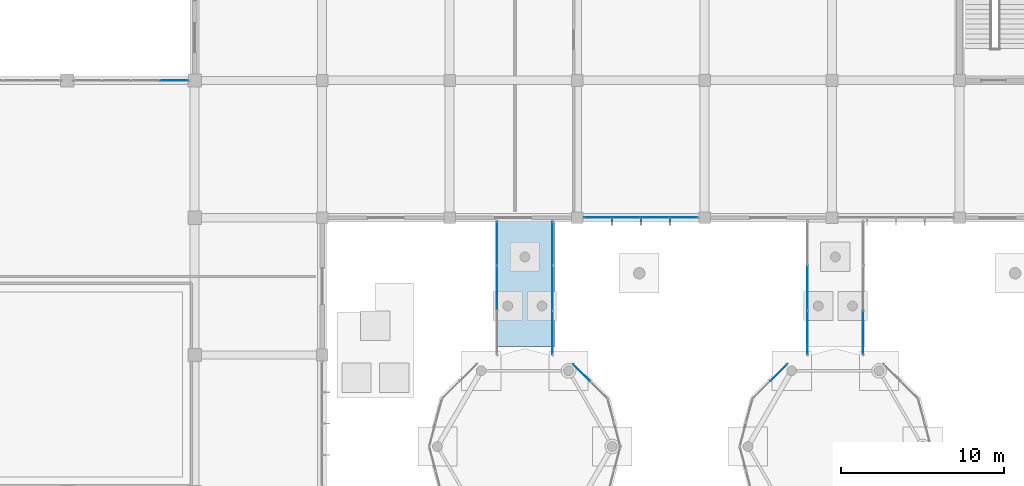
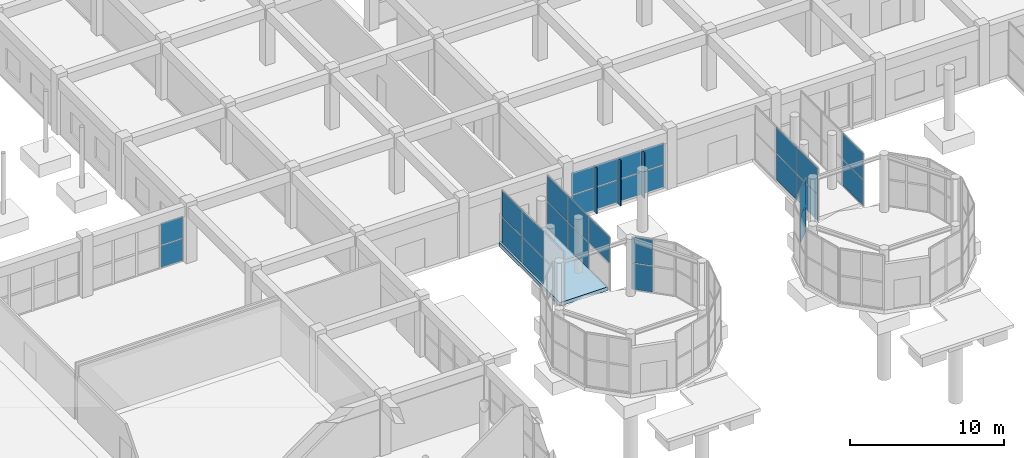
# One storey, part 112 of 139: 32 plates, 1 slab, 8 elements without a shape of their own.
"""IFC4 building model written with IfcOpenShell, lengths in metres."""

import ifcopenshell
import ifcopenshell.guid

model = None  # the IFC model being written
_history = None  # IfcOwnerHistory: only IFC2X3 demands one
_inside = {}  # id of a spatial element -> (the spatial element, [elements in it])
_under = {}  # id of a project, library or spatial element -> (it, [spatial elements below it])
_declared = {}  # id of a project -> (the project, [libraries it declares])
_typed = {}  # id of a type object -> (the type object, [elements of that type])
_made_of = {}  # id of a material, layer set ... -> (it, [elements and type objects made of it])


def new_model(schema):
    """Start an empty IFC model of exactly this schema.

    Asked for "IFC4X3", IfcOpenShell would pick the latest addendum, in which some entities
    have other attributes; the version numbers below select the first issue.
    IFC2X3 requires an IfcOwnerHistory on every rooted entity: one is made here for all.
    """
    global model, _history
    if schema == "IFC4X3":
        model = ifcopenshell.file(schema_version=(4, 3, 0, 0))
    else:
        model = ifcopenshell.file(schema=schema)
    _inside.clear()
    _under.clear()
    _declared.clear()
    _typed.clear()
    _made_of.clear()
    _history = None
    if model.schema == "IFC2X3":
        org = make("IfcOrganization", Name="unknown")
        user = make(
            "IfcPersonAndOrganization",
            ThePerson=make("IfcPerson", FamilyName="unknown"),
            TheOrganization=org,
        )
        app = make(
            "IfcApplication",
            ApplicationDeveloper=org,
            Version="unknown",
            ApplicationFullName="unknown",
            ApplicationIdentifier="unknown",
        )
        _history = make(
            "IfcOwnerHistory",
            OwningUser=user,
            OwningApplication=app,
            ChangeAction="ADDED",
            CreationDate=0,
        )
    return model


def make(cls, **values):
    """One entity of the class cls with the attributes given. An attribute that is None is left unset."""
    return model.create_entity(
        cls, **{name: value for name, value in values.items() if value is not None}
    )


def rooted(cls, **values):
    """An entity with a GlobalId (a new one), such as an element, a storey or a relation."""
    return make(cls, GlobalId=ifcopenshell.guid.new(), OwnerHistory=_history, **values)


def si_unit(unit_type, name, prefix=None):
    """IfcSIUnit, for example si_unit("LENGTHUNIT", "METRE", prefix="MILLI")."""
    return make("IfcSIUnit", UnitType=unit_type, Prefix=prefix, Name=name)


def assignment(units):
    """IfcUnitAssignment: the units of a project."""
    return None if units is None else make("IfcUnitAssignment", Units=units)


def point(xyz):
    """IfcCartesianPoint."""
    return None if xyz is None else make("IfcCartesianPoint", Coordinates=xyz)


def direction(xyz):
    """IfcDirection."""
    return None if xyz is None else make("IfcDirection", DirectionRatios=xyz)


def frame(location, z_axis=None, x_axis=None):
    """IfcAxis2Placement3D, a coordinate frame: its origin and axes. An axis left out is left unset."""
    return make(
        "IfcAxis2Placement3D",
        Location=point(location),
        Axis=direction(z_axis),
        RefDirection=direction(x_axis),
    )


def frame_2d(location, x_axis=None):
    """IfcAxis2Placement2D, a coordinate frame in the plane: its origin and x axis."""
    return make(
        "IfcAxis2Placement2D", Location=point(location), RefDirection=direction(x_axis)
    )


def origin():
    """The frame at (0, 0, 0) with its axes left unset."""
    return frame((0.0, 0.0, 0.0))


def origin_2d():
    """The frame at (0, 0) in the plane with its x axis left unset."""
    return frame_2d((0.0, 0.0))


def place(relative_to, where):
    """IfcLocalPlacement: puts the frame where relative to a parent placement (None: the world)."""
    return make(
        "IfcLocalPlacement", PlacementRelTo=relative_to, RelativePlacement=where
    )


def context(
    kind, dimensions, precision=None, world=None, true_north=None, identifier=None
):
    """IfcGeometricRepresentationContext, for example the 3D "Model" context."""
    return make(
        "IfcGeometricRepresentationContext",
        ContextIdentifier=identifier,
        ContextType=kind,
        CoordinateSpaceDimension=dimensions,
        Precision=precision,
        WorldCoordinateSystem=world,
        TrueNorth=true_north,
    )


def subcontext(parent, identifier, kind, view, scale=None):
    """IfcGeometricRepresentationSubContext, for example "Body" below "Model"."""
    return make(
        "IfcGeometricRepresentationSubContext",
        ContextIdentifier=identifier,
        ContextType=kind,
        ParentContext=parent,
        TargetScale=scale,
        TargetView=view,
    )


def project(units=None, contexts=None):
    """IfcProject with its units and contexts."""
    return rooted(
        "IfcProject",
        Name="project",
        RepresentationContexts=contexts,
        UnitsInContext=assignment(units),
    )


def spatial(cls, under=None, at=None, **own):
    """A site, building, storey or space (cls), placed at a placement, below another one or the project."""
    s = rooted(cls, ObjectPlacement=at, **own)
    if under is not None:
        _under.setdefault(under.id(), (under, []))[1].append(s)
    return s


def polyline(points):
    """IfcPolyline through the points."""
    return make("IfcPolyline", Points=[point(p) for p in points])


def profile(cls, at=None, kind="AREA", **sizes):
    """A parametric profile (cls). Its sizes go by their IFC names, for example OverallWidth=200.0."""
    return make(cls, ProfileType=kind, Position=at, **sizes)


def rectangle(**sizes):
    """IfcRectangleProfileDef."""
    return profile("IfcRectangleProfileDef", **sizes)


def outline(outer, holes=None, kind="AREA"):
    """IfcArbitraryClosedProfileDef: a profile drawn as a closed curve; with holes, ...WithVoids."""
    if holes is None:
        return make("IfcArbitraryClosedProfileDef", ProfileType=kind, OuterCurve=outer)
    return make(
        "IfcArbitraryProfileDefWithVoids",
        ProfileType=kind,
        OuterCurve=outer,
        InnerCurves=holes,
    )


def extrude(swept, where, along, depth):
    """IfcExtrudedAreaSolid: the profile swept, set in the frame where, extruded along a direction by depth."""
    return make(
        "IfcExtrudedAreaSolid",
        SweptArea=swept,
        Position=where,
        ExtrudedDirection=direction(along),
        Depth=depth,
    )


def shape(context_of_items, identifier, shape_type, items):
    """IfcShapeRepresentation: the items that make up one representation, for example the "Body"."""
    return make(
        "IfcShapeRepresentation",
        ContextOfItems=context_of_items,
        RepresentationIdentifier=identifier,
        RepresentationType=shape_type,
        Items=items,
    )


def material(Name=None, Category=None):
    """IfcMaterial."""
    return make("IfcMaterial", Name=Name, Category=Category)


def layer(
    of_material, thickness, ventilated=None, Name=None, Category=None, Priority=None
):
    """IfcMaterialLayer: one layer of a wall or slab, of a material (None: an air gap)."""
    return make(
        "IfcMaterialLayer",
        Material=of_material,
        LayerThickness=thickness,
        IsVentilated=ventilated,
        Name=Name,
        Category=Category,
        Priority=Priority,
    )


def layer_set(layers, Name=None):
    """IfcMaterialLayerSet."""
    return make("IfcMaterialLayerSet", MaterialLayers=layers, LayerSetName=Name)


def made_of(thing, what):
    """Note that an element or type object is made of a material, layer set ...; save() writes the relation."""
    if what is not None:
        _made_of.setdefault(what.id(), (what, []))[1].append(thing)
    return thing


def type_object(cls, material=None, **own):
    """A type object (cls), such as IfcWallType, which elements share."""
    return made_of(rooted(cls, **own), material)


def element(
    cls,
    number,
    at=None,
    inside=None,
    cuts=None,
    type_object=None,
    material=None,
    context=None,
    identifier="Body",
    shape_type=None,
    held_by="IfcProductDefinitionShape",
    body=None,
    shapes=None,
    **own,
):
    """One element of the class cls, such as IfcWall. Its Tag is "e" and its number.

    at: its placement. inside: the storey or other place that contains it. cuts: it is an
    opening in that element (IfcRelVoidsElement). A single representation is given by context,
    identifier, shape_type and body (its items); several are given by shapes. held_by: the class
    of the entity that holds the representations. save() writes the other relations.
    """
    e = rooted(cls, Tag="e%d" % number, ObjectPlacement=at, **own)
    if body is not None:
        shapes = [shape(context, identifier, shape_type, body)]
    if shapes is not None:
        e.Representation = make(held_by, Representations=shapes)
    if inside is not None:
        _inside.setdefault(inside.id(), (inside, []))[1].append(e)
    if cuts is not None:
        rooted(
            "IfcRelVoidsElement", RelatingBuildingElement=cuts, RelatedOpeningElement=e
        )
    if type_object is not None:
        _typed.setdefault(type_object.id(), (type_object, []))[1].append(e)
    return made_of(e, material)


def aggregate(whole, parts):
    """IfcRelAggregates: a whole, such as a stair, and the parts it consists of."""
    return rooted("IfcRelAggregates", RelatingObject=whole, RelatedObjects=parts)


def save(model, path):
    """Write the relations noted so far, then the file.

    IfcRelAggregates (storeys below a building ...), IfcRelContainedInSpatialStructure (elements
    in a storey), IfcRelDefinesByType, IfcRelAssociatesMaterial and IfcRelDeclares: one each for
    every whole, place, type object, material and project.
    """
    for whole, parts in _under.values():
        aggregate(whole, parts)
    for where, things in _inside.values():
        rooted(
            "IfcRelContainedInSpatialStructure",
            RelatedElements=things,
            RelatingStructure=where,
        )
    for kind, things in _typed.values():
        rooted("IfcRelDefinesByType", RelatedObjects=things, RelatingType=kind)
    for what, things in _made_of.values():
        rooted("IfcRelAssociatesMaterial", RelatedObjects=things, RelatingMaterial=what)
    for by, libraries in _declared.values():
        rooted("IfcRelDeclares", RelatingContext=by, RelatedDefinitions=libraries)
    model.write(path)


model = new_model("IFC4")

# Units and contexts
model_context = context("Model", 3, precision=1e-05, world=origin(), true_north=direction((0.0, 1.0)))
body_context = subcontext(model_context, "Body", "Model", "MODEL_VIEW")
ifc_project = project(units=[si_unit("LENGTHUNIT", "METRE"), si_unit("AREAUNIT", "SQUARE_METRE"), si_unit("VOLUMEUNIT", "CUBIC_METRE"), si_unit("PLANEANGLEUNIT", "RADIAN"), si_unit("MASSUNIT", "GRAM", prefix="KILO")], contexts=[model_context])

# Site, building, storey
site_placement = place(None, origin())
site = spatial("IfcSite", under=ifc_project, at=site_placement, CompositionType="ELEMENT")
building_placement = place(site_placement, origin())
building = spatial("IfcBuilding", under=site, at=building_placement, Name="Zizhar Promenade General Hospital", CompositionType="ELEMENT")
storey_placement = place(building_placement, origin())
storey = spatial("IfcBuildingStorey", under=building, at=storey_placement, Name="L00", CompositionType="ELEMENT", Elevation=0.0)

# Curtain wall, plates
ifc_material_1 = material(Name="Anodised aluminium 6063-T6 and low-E glass", Category="aluminium")
ifc_layer_1 = layer(ifc_material_1, 0.159912109375)
ifc_layer_set_1 = layer_set([ifc_layer_1], Name="Anodised aluminium 6063-T6 and low-E glass")
curtain_wall_type_1 = type_object("IfcCurtainWallType", Name="CW-CLN-EXT", PredefinedType="NOTDEFINED", material=ifc_layer_set_1)
curtain_wall_1_placement = place(storey_placement, origin())
curtain_wall_1 = element("IfcCurtainWall", 1, at=curtain_wall_1_placement, inside=storey, type_object=curtain_wall_type_1, Name="Outpatient Forecourt Curtain Wall L00-19", PredefinedType="NOTDEFINED")
ifc_material_2 = material(Name="Low-E solar-control glass", Category="glass")
ifc_layer_2 = layer(ifc_material_2, 0.031982421875)
ifc_layer_set_2 = layer_set([ifc_layer_2], Name="Low-E solar-control glass")
plate_type_1 = type_object("IfcPlateType", Name="CWP-GLZ-32", PredefinedType="CURTAIN_PANEL", material=ifc_layer_set_2)
plate_1_placement = place(storey_placement, frame((154.735107421875, 42.0, 0.06005859375), z_axis=(0.0, 0.0, 1.0), x_axis=(-1.0, 0.0, 0.0)))
plate_1 = element("IfcPlate", 2, at=plate_1_placement, type_object=plate_type_1, Name="CW-09 panel 1.1", PredefinedType="CURTAIN_PANEL", context=body_context, shape_type="SweptSolid", body=[
    extrude(rectangle(XDim=1.64990234375, YDim=0.031982421875, at=origin_2d()), origin(), (0.0, 0.0, 1.0), 1.72509765625),
])
plate_2_placement = place(storey_placement, frame((154.735107421875, 42.0, 1.844970703125), z_axis=(0.0, 0.0, 1.0), x_axis=(-1.0, 0.0, 0.0)))
plate_2 = element("IfcPlate", 3, at=plate_2_placement, type_object=plate_type_1, Name="CW-09 panel 1.2", PredefinedType="CURTAIN_PANEL", context=body_context, shape_type="SweptSolid", body=[
    extrude(rectangle(XDim=1.64990234375, YDim=0.031982421875, at=origin_2d()), origin(), (0.0, 0.0, 1.0), 1.72509765625),
])
plate_3_placement = place(storey_placement, frame((152.985107421875, 42.0, 0.06005859375), z_axis=(0.0, 0.0, 1.0), x_axis=(-1.0, 0.0, 0.0)))
plate_3 = element("IfcPlate", 4, at=plate_3_placement, type_object=plate_type_1, Name="CW-09 panel 2.1", PredefinedType="CURTAIN_PANEL", context=body_context, shape_type="SweptSolid", body=[
    extrude(rectangle(XDim=1.68994140625, YDim=0.031982421875, at=origin_2d()), origin(), (0.0, 0.0, 1.0), 1.72509765625),
])
plate_4_placement = place(storey_placement, frame((152.985107421875, 42.0, 1.844970703125), z_axis=(0.0, 0.0, 1.0), x_axis=(-1.0, 0.0, 0.0)))
plate_4 = element("IfcPlate", 5, at=plate_4_placement, type_object=plate_type_1, Name="CW-09 panel 2.2", PredefinedType="CURTAIN_PANEL", context=body_context, shape_type="SweptSolid", body=[
    extrude(rectangle(XDim=1.68994140625, YDim=0.031982421875, at=origin_2d()), origin(), (0.0, 0.0, 1.0), 1.72509765625),
])
plate_5_placement = place(storey_placement, frame((151.215087890625, 42.0, 0.06005859375), z_axis=(0.0, 0.0, 1.0), x_axis=(-1.0, 0.0, 0.0)))
plate_5 = element("IfcPlate", 6, at=plate_5_placement, type_object=plate_type_1, Name="CW-09 panel 3.1", PredefinedType="CURTAIN_PANEL", context=body_context, shape_type="SweptSolid", body=[
    extrude(rectangle(XDim=1.68994140625, YDim=0.031982421875, at=origin_2d()), origin(), (0.0, 0.0, 1.0), 1.72509765625),
])
plate_6_placement = place(storey_placement, frame((151.215087890625, 42.0, 1.844970703125), z_axis=(0.0, 0.0, 1.0), x_axis=(-1.0, 0.0, 0.0)))
plate_6 = element("IfcPlate", 7, at=plate_6_placement, type_object=plate_type_1, Name="CW-09 panel 3.2", PredefinedType="CURTAIN_PANEL", context=body_context, shape_type="SweptSolid", body=[
    extrude(rectangle(XDim=1.68994140625, YDim=0.031982421875, at=origin_2d()), origin(), (0.0, 0.0, 1.0), 1.72509765625),
])
plate_7_placement = place(storey_placement, frame((149.465087890625, 42.0, 0.06005859375), z_axis=(0.0, 0.0, 1.0), x_axis=(-1.0, 0.0, 0.0)))
plate_7 = element("IfcPlate", 8, at=plate_7_placement, type_object=plate_type_1, Name="CW-09 panel 4.1", PredefinedType="CURTAIN_PANEL", context=body_context, shape_type="SweptSolid", body=[
    extrude(rectangle(XDim=1.64990234375, YDim=0.031982421875, at=origin_2d()), origin(), (0.0, 0.0, 1.0), 1.72509765625),
])
plate_8_placement = place(storey_placement, frame((149.465087890625, 42.0, 1.844970703125), z_axis=(0.0, 0.0, 1.0), x_axis=(-1.0, 0.0, 0.0)))
plate_8 = element("IfcPlate", 9, at=plate_8_placement, type_object=plate_type_1, Name="CW-09 panel 4.2", PredefinedType="CURTAIN_PANEL", context=body_context, shape_type="SweptSolid", body=[
    extrude(rectangle(XDim=1.64990234375, YDim=0.031982421875, at=origin_2d()), origin(), (0.0, 0.0, 1.0), 1.72509765625),
])
aggregate(curtain_wall_1, [plate_1, plate_2, plate_3, plate_4, plate_5, plate_6, plate_7, plate_8])

ifc_material_3 = material(Name="Anodised aluminium 6063-T6 and low-E glass", Category="aluminium")
ifc_layer_3 = layer(ifc_material_3, 0.159912109375)
ifc_layer_set_3 = layer_set([ifc_layer_3], Name="Anodised aluminium 6063-T6 and low-E glass")
curtain_wall_type_2 = type_object("IfcCurtainWallType", Name="CW-HALL-N", PredefinedType="NOTDEFINED", material=ifc_layer_set_3)
curtain_wall_2_placement = place(storey_placement, origin())
curtain_wall_2 = element("IfcCurtainWall", 10, at=curtain_wall_2_placement, inside=storey, type_object=curtain_wall_type_2, Name="Main Hall Courtyard Curtain Wall L00-15", PredefinedType="NOTDEFINED")
plate_9_placement = place(storey_placement, frame((123.534912109375, 50.39990234375, 0.06005859375), z_axis=(0.0, 0.0, 1.0), x_axis=(1.0, 0.0, 0.0)))
plate_9 = element("IfcPlate", 11, at=plate_9_placement, type_object=plate_type_1, Name="CW-02 panel 4.1", PredefinedType="CURTAIN_PANEL", context=body_context, shape_type="SweptSolid", body=[
    extrude(rectangle(XDim=1.64990234375, YDim=0.031982421875, at=origin_2d()), origin(), (0.0, 0.0, 1.0), 1.72509765625),
])
plate_10_placement = place(storey_placement, frame((123.534912109375, 50.39990234375, 1.844970703125), z_axis=(0.0, 0.0, 1.0), x_axis=(1.0, 0.0, 0.0)))
plate_10 = element("IfcPlate", 12, at=plate_10_placement, type_object=plate_type_1, Name="CW-02 panel 4.2", PredefinedType="CURTAIN_PANEL", context=body_context, shape_type="SweptSolid", body=[
    extrude(rectangle(XDim=1.64990234375, YDim=0.031982421875, at=origin_2d()), origin(), (0.0, 0.0, 1.0), 1.72509765625),
])
aggregate(curtain_wall_2, [plate_9, plate_10])

ifc_material_4 = material(Name="Anodised aluminium 6063-T6 and low-E glass", Category="aluminium")
ifc_layer_4 = layer(ifc_material_4, 0.159912109375)
ifc_layer_set_4 = layer_set([ifc_layer_4], Name="Anodised aluminium 6063-T6 and low-E glass")
curtain_wall_type_3 = type_object("IfcCurtainWallType", Name="CW-PAV-GLZ", PredefinedType="NOTDEFINED", material=ifc_layer_set_4)
curtain_wall_3_placement = place(storey_placement, origin())
curtain_wall_3 = element("IfcCurtainWall", 13, at=curtain_wall_3_placement, inside=storey, type_object=curtain_wall_type_3, Name="Outpatient Welcome Pavilion Curved Glazing 2", PredefinedType="NOTDEFINED")
plate_11_placement = place(storey_placement, frame((148.470947265625, 32.520263671875, 0.06005859375), z_axis=(0.0, 0.0, 1.0), x_axis=(0.707106781187, -0.707106781187, 0.0)))
plate_11 = element("IfcPlate", 14, at=plate_11_placement, type_object=plate_type_1, Name="CW-14 panel 1.1", PredefinedType="CURTAIN_PANEL", context=body_context, shape_type="SweptSolid", body=[
    extrude(rectangle(XDim=1.424072265625, YDim=0.031982421875, at=origin_2d()), origin(), (0.0, 0.0, 1.0), 2.050048828125),
])
plate_12_placement = place(storey_placement, frame((148.470947265625, 32.520263671875, 2.169921875), z_axis=(0.0, 0.0, 1.0), x_axis=(0.707106781187, -0.707106781187, 0.0)))
plate_12 = element("IfcPlate", 15, at=plate_12_placement, type_object=plate_type_1, Name="CW-14 panel 1.2", PredefinedType="CURTAIN_PANEL", context=body_context, shape_type="SweptSolid", body=[
    extrude(rectangle(XDim=1.424072265625, YDim=0.031982421875, at=origin_2d()), origin(), (0.0, 0.0, 1.0), 2.050048828125),
])
aggregate(curtain_wall_3, [plate_11, plate_12])

curtain_wall_4_placement = place(storey_placement, origin())
curtain_wall_4 = element("IfcCurtainWall", 16, at=curtain_wall_4_placement, inside=storey, type_object=curtain_wall_type_3, Name="Outpatient Welcome Pavilion Link West Glazing", PredefinedType="NOTDEFINED")
plate_13_placement = place(storey_placement, frame((143.300048828125, 37.699951171875, 0.06005859375), z_axis=(0.0, 0.0, 1.0), x_axis=(0.0, 1.0, 0.0)))
plate_13 = element("IfcPlate", 17, at=plate_13_placement, type_object=plate_type_1, Name="CW-14 panel 2.1", PredefinedType="CURTAIN_PANEL", context=body_context, shape_type="SweptSolid", body=[
    extrude(rectangle(XDim=2.67333984375, YDim=0.031982421875, at=origin_2d()), origin(), (0.0, 0.0, 1.0), 2.050048828125),
])
plate_14_placement = place(storey_placement, frame((143.300048828125, 37.699951171875, 2.169921875), z_axis=(0.0, 0.0, 1.0), x_axis=(0.0, 1.0, 0.0)))
plate_14 = element("IfcPlate", 18, at=plate_14_placement, type_object=plate_type_1, Name="CW-14 panel 2.2", PredefinedType="CURTAIN_PANEL", context=body_context, shape_type="SweptSolid", body=[
    extrude(rectangle(XDim=2.67333984375, YDim=0.031982421875, at=origin_2d()), origin(), (0.0, 0.0, 1.0), 2.050048828125),
])
plate_15_placement = place(storey_placement, frame((143.300048828125, 40.418212890625, 0.06005859375), z_axis=(0.0, 0.0, 1.0), x_axis=(0.0, 1.0, 0.0)))
plate_15 = element("IfcPlate", 19, at=plate_15_placement, type_object=plate_type_1, Name="CW-14 panel 3.1", PredefinedType="CURTAIN_PANEL", context=body_context, shape_type="SweptSolid", body=[
    extrude(rectangle(XDim=2.643310546875, YDim=0.031982421875, at=origin_2d()), origin(), (0.0, 0.0, 1.0), 2.050048828125),
])
plate_16_placement = place(storey_placement, frame((143.300048828125, 40.418212890625, 2.169921875), z_axis=(0.0, 0.0, 1.0), x_axis=(0.0, 1.0, 0.0)))
plate_16 = element("IfcPlate", 20, at=plate_16_placement, type_object=plate_type_1, Name="CW-14 panel 3.2", PredefinedType="CURTAIN_PANEL", context=body_context, shape_type="SweptSolid", body=[
    extrude(rectangle(XDim=2.643310546875, YDim=0.031982421875, at=origin_2d()), origin(), (0.0, 0.0, 1.0), 2.050048828125),
])
aggregate(curtain_wall_4, [plate_13, plate_14, plate_15, plate_16])

curtain_wall_5_placement = place(storey_placement, origin())
curtain_wall_5 = element("IfcCurtainWall", 21, at=curtain_wall_5_placement, inside=storey, type_object=curtain_wall_type_3, Name="Outpatient Welcome Pavilion Link East Glazing", PredefinedType="NOTDEFINED")
plate_17_placement = place(storey_placement, frame((146.699951171875, 40.418212890625, 0.06005859375), z_axis=(0.0, 0.0, 1.0), x_axis=(0.0, -1.0, 0.0)))
plate_17 = element("IfcPlate", 22, at=plate_17_placement, type_object=plate_type_1, Name="CW-14 panel 1.1", PredefinedType="CURTAIN_PANEL", context=body_context, shape_type="SweptSolid", body=[
    extrude(rectangle(XDim=2.643310546875, YDim=0.031982421875, at=origin_2d()), origin(), (0.0, 0.0, 1.0), 2.050048828125),
])
plate_18_placement = place(storey_placement, frame((146.699951171875, 40.418212890625, 2.169921875), z_axis=(0.0, 0.0, 1.0), x_axis=(0.0, -1.0, 0.0)))
plate_18 = element("IfcPlate", 23, at=plate_18_placement, type_object=plate_type_1, Name="CW-14 panel 1.2", PredefinedType="CURTAIN_PANEL", context=body_context, shape_type="SweptSolid", body=[
    extrude(rectangle(XDim=2.643310546875, YDim=0.031982421875, at=origin_2d()), origin(), (0.0, 0.0, 1.0), 2.050048828125),
])
plate_19_placement = place(storey_placement, frame((146.699951171875, 37.699951171875, 0.06005859375), z_axis=(0.0, 0.0, 1.0), x_axis=(0.0, -1.0, 0.0)))
plate_19 = element("IfcPlate", 24, at=plate_19_placement, type_object=plate_type_1, Name="CW-14 panel 2.1", PredefinedType="CURTAIN_PANEL", context=body_context, shape_type="SweptSolid", body=[
    extrude(rectangle(XDim=2.67333984375, YDim=0.031982421875, at=origin_2d()), origin(), (0.0, 0.0, 1.0), 2.050048828125),
])
plate_20_placement = place(storey_placement, frame((146.699951171875, 37.699951171875, 2.169921875), z_axis=(0.0, 0.0, 1.0), x_axis=(0.0, -1.0, 0.0)))
plate_20 = element("IfcPlate", 25, at=plate_20_placement, type_object=plate_type_1, Name="CW-14 panel 2.2", PredefinedType="CURTAIN_PANEL", context=body_context, shape_type="SweptSolid", body=[
    extrude(rectangle(XDim=2.67333984375, YDim=0.031982421875, at=origin_2d()), origin(), (0.0, 0.0, 1.0), 2.050048828125),
])
plate_21_placement = place(storey_placement, frame((146.699951171875, 34.981689453125, 2.169921875), z_axis=(0.0, 0.0, 1.0), x_axis=(0.0, -1.0, 0.0)))
plate_21 = element("IfcPlate", 26, at=plate_21_placement, type_object=plate_type_1, Name="CW-14 panel 3.2", PredefinedType="CURTAIN_PANEL", context=body_context, shape_type="SweptSolid", body=[
    extrude(rectangle(XDim=2.643310546875, YDim=0.031982421875, at=origin_2d()), origin(), (0.0, 0.0, 1.0), 2.050048828125),
])
aggregate(curtain_wall_5, [plate_17, plate_18, plate_19, plate_20, plate_21])

curtain_wall_6_placement = place(storey_placement, origin())
curtain_wall_6 = element("IfcCurtainWall", 27, at=curtain_wall_6_placement, inside=storey, type_object=curtain_wall_type_3, Name="Pharmacy Collection Pavilion Curved Glazing 5", PredefinedType="NOTDEFINED")
plate_22_placement = place(storey_placement, frame((160.529052734375, 32.520263671875, 0.06005859375), z_axis=(0.0, 0.0, 1.0), x_axis=(0.707106781187, 0.707106781187, 0.0)))
plate_22 = element("IfcPlate", 28, at=plate_22_placement, type_object=plate_type_1, Name="CW-14 panel 2.1", PredefinedType="CURTAIN_PANEL", context=body_context, shape_type="SweptSolid", body=[
    extrude(rectangle(XDim=1.424072265625, YDim=0.031982421875, at=origin_2d()), origin(), (0.0, 0.0, 1.0), 2.050048828125),
])
plate_23_placement = place(storey_placement, frame((160.529052734375, 32.520263671875, 2.169921875), z_axis=(0.0, 0.0, 1.0), x_axis=(0.707106781187, 0.707106781187, 0.0)))
plate_23 = element("IfcPlate", 29, at=plate_23_placement, type_object=plate_type_1, Name="CW-14 panel 2.2", PredefinedType="CURTAIN_PANEL", context=body_context, shape_type="SweptSolid", body=[
    extrude(rectangle(XDim=1.424072265625, YDim=0.031982421875, at=origin_2d()), origin(), (0.0, 0.0, 1.0), 2.050048828125),
])
aggregate(curtain_wall_6, [plate_22, plate_23])

curtain_wall_7_placement = place(storey_placement, origin())
curtain_wall_7 = element("IfcCurtainWall", 30, at=curtain_wall_7_placement, inside=storey, type_object=curtain_wall_type_3, Name="Pharmacy Collection Pavilion Link West Glazing", PredefinedType="NOTDEFINED")
plate_24_placement = place(storey_placement, frame((162.300048828125, 34.981689453125, 0.06005859375), z_axis=(0.0, 0.0, 1.0), x_axis=(0.0, 1.0, 0.0)))
plate_24 = element("IfcPlate", 31, at=plate_24_placement, type_object=plate_type_1, Name="CW-14 panel 1.1", PredefinedType="CURTAIN_PANEL", context=body_context, shape_type="SweptSolid", body=[
    extrude(rectangle(XDim=2.643310546875, YDim=0.031982421875, at=origin_2d()), origin(), (0.0, 0.0, 1.0), 2.050048828125),
])
plate_25_placement = place(storey_placement, frame((162.300048828125, 34.981689453125, 2.169921875), z_axis=(0.0, 0.0, 1.0), x_axis=(0.0, 1.0, 0.0)))
plate_25 = element("IfcPlate", 32, at=plate_25_placement, type_object=plate_type_1, Name="CW-14 panel 1.2", PredefinedType="CURTAIN_PANEL", context=body_context, shape_type="SweptSolid", body=[
    extrude(rectangle(XDim=2.643310546875, YDim=0.031982421875, at=origin_2d()), origin(), (0.0, 0.0, 1.0), 2.050048828125),
])
plate_26_placement = place(storey_placement, frame((162.300048828125, 37.699951171875, 0.06005859375), z_axis=(0.0, 0.0, 1.0), x_axis=(0.0, 1.0, 0.0)))
plate_26 = element("IfcPlate", 33, at=plate_26_placement, type_object=plate_type_1, Name="CW-14 panel 2.1", PredefinedType="CURTAIN_PANEL", context=body_context, shape_type="SweptSolid", body=[
    extrude(rectangle(XDim=2.67333984375, YDim=0.031982421875, at=origin_2d()), origin(), (0.0, 0.0, 1.0), 2.050048828125),
])
plate_27_placement = place(storey_placement, frame((162.300048828125, 37.699951171875, 2.169921875), z_axis=(0.0, 0.0, 1.0), x_axis=(0.0, 1.0, 0.0)))
plate_27 = element("IfcPlate", 34, at=plate_27_placement, type_object=plate_type_1, Name="CW-14 panel 2.2", PredefinedType="CURTAIN_PANEL", context=body_context, shape_type="SweptSolid", body=[
    extrude(rectangle(XDim=2.67333984375, YDim=0.031982421875, at=origin_2d()), origin(), (0.0, 0.0, 1.0), 2.050048828125),
])
aggregate(curtain_wall_7, [plate_24, plate_25, plate_26, plate_27])

curtain_wall_8_placement = place(storey_placement, origin())
curtain_wall_8 = element("IfcCurtainWall", 35, at=curtain_wall_8_placement, inside=storey, type_object=curtain_wall_type_3, Name="Pharmacy Collection Pavilion Link East Glazing", PredefinedType="NOTDEFINED")
plate_28_placement = place(storey_placement, frame((165.699951171875, 34.981689453125, 0.06005859375), z_axis=(0.0, 0.0, 1.0), x_axis=(0.0, -1.0, 0.0)))
plate_28 = element("IfcPlate", 36, at=plate_28_placement, type_object=plate_type_1, Name="CW-14 panel 3.1", PredefinedType="CURTAIN_PANEL", context=body_context, shape_type="SweptSolid", body=[
    extrude(rectangle(XDim=2.643310546875, YDim=0.031982421875, at=origin_2d()), origin(), (0.0, 0.0, 1.0), 2.050048828125),
])
plate_29_placement = place(storey_placement, frame((165.699951171875, 34.981689453125, 2.169921875), z_axis=(0.0, 0.0, 1.0), x_axis=(0.0, -1.0, 0.0)))
plate_29 = element("IfcPlate", 37, at=plate_29_placement, type_object=plate_type_1, Name="CW-14 panel 3.2", PredefinedType="CURTAIN_PANEL", context=body_context, shape_type="SweptSolid", body=[
    extrude(rectangle(XDim=2.643310546875, YDim=0.031982421875, at=origin_2d()), origin(), (0.0, 0.0, 1.0), 2.050048828125),
])
aggregate(curtain_wall_8, [plate_28, plate_29])

# Plates
ifc_material_5 = material(Name="Anodised aluminium 6063-T6", Category="aluminium")
ifc_layer_5 = layer(ifc_material_5, 0.0400390625)
ifc_layer_set_5 = layer_set([ifc_layer_5], Name="Anodised aluminium 6063-T6")
plate_type_2 = type_object("IfcPlateType", Name="FIN-ALU-450", PredefinedType="USERDEFINED", material=ifc_layer_set_5)
plate_30_placement = place(storey_placement, origin())
element("IfcPlate", 38, at=plate_30_placement, inside=storey, type_object=plate_type_2, Name="Outpatient Forecourt Curtain Wall L00-19 Solar Fin 1", ObjectType="SOLAR_SHADE", PredefinedType="USERDEFINED", context=body_context, shape_type="SweptSolid", body=[
    extrude(outline(polyline([(153.889892578125, 42.0), (153.85009765625, 42.0), (153.85009765625, 41.550048828125), (153.889892578125, 41.550048828125), (153.889892578125, 42.0)])), origin(), (0.0, 0.0, 1.0), 3.6298828125),
])
plate_31_placement = place(storey_placement, origin())
element("IfcPlate", 39, at=plate_31_placement, inside=storey, type_object=plate_type_2, Name="Outpatient Forecourt Curtain Wall L00-19 Solar Fin 2", ObjectType="SOLAR_SHADE", PredefinedType="USERDEFINED", context=body_context, shape_type="SweptSolid", body=[
    extrude(outline(polyline([(152.1201171875, 42.0), (152.080078125, 42.0), (152.080078125, 41.550048828125), (152.1201171875, 41.550048828125), (152.1201171875, 42.0)])), origin(), (0.0, 0.0, 1.0), 3.6298828125),
])
plate_32_placement = place(storey_placement, origin())
element("IfcPlate", 40, at=plate_32_placement, inside=storey, type_object=plate_type_2, Name="Outpatient Forecourt Curtain Wall L00-19 Solar Fin 3", ObjectType="SOLAR_SHADE", PredefinedType="USERDEFINED", context=body_context, shape_type="SweptSolid", body=[
    extrude(outline(polyline([(150.35009765625, 42.0), (150.31005859375, 42.0), (150.31005859375, 41.550048828125), (150.35009765625, 41.550048828125), (150.35009765625, 42.0)])), origin(), (0.0, 0.0, 1.0), 3.6298828125),
])

# Slab
ifc_material_6 = material(Name="Concrete C35/45", Category="concrete")
ifc_layer_6 = layer(ifc_material_6, 0.300048828125)
ifc_layer_set_6 = layer_set([ifc_layer_6], Name="Concrete C35/45")
slab_type = type_object("IfcSlabType", Name="SLB-FLR-300", PredefinedType="FLOOR", material=ifc_layer_set_6)
slab_placement = place(storey_placement, frame((0.0, 0.0, -0.300048828125)))
element("IfcSlab", 41, at=slab_placement, inside=storey, type_object=slab_type, Name="Outpatient Welcome Pavilion Link Vestibule Floor Slab", PredefinedType="FLOOR", context=body_context, shape_type="SweptSolid", body=[
    extrude(outline(polyline([(143.199951171875, 34.080078125), (146.800048828125, 34.080078125), (146.800048828125, 42.0), (143.199951171875, 42.0), (143.199951171875, 34.080078125)])), origin(), (0.0, 0.0, 1.0), 0.300048828125),
])

save(model, "model.ifc")
